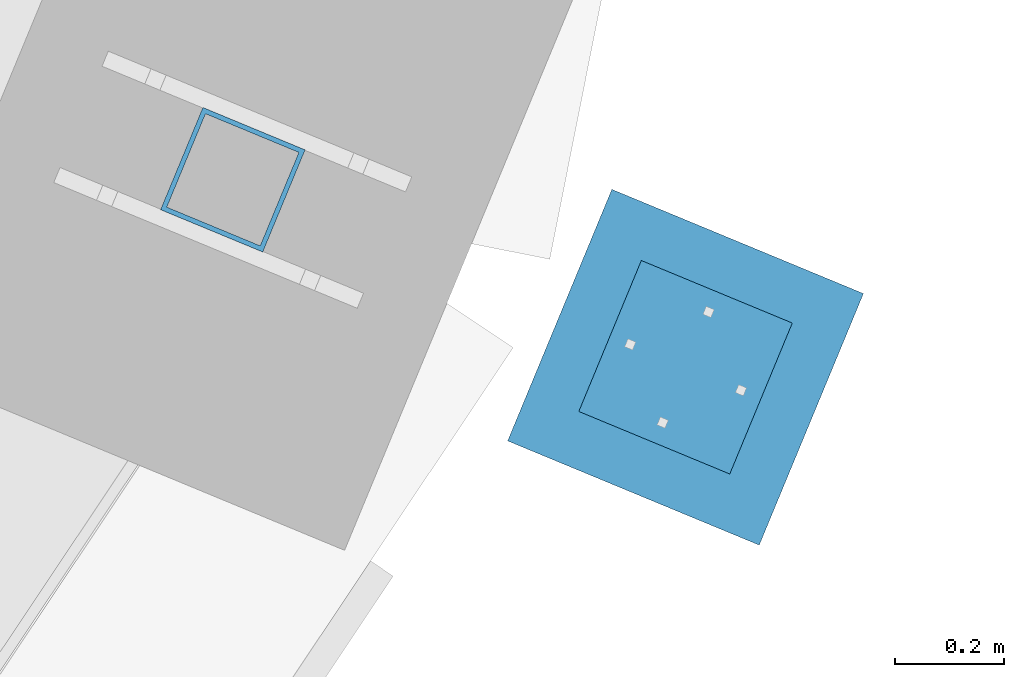
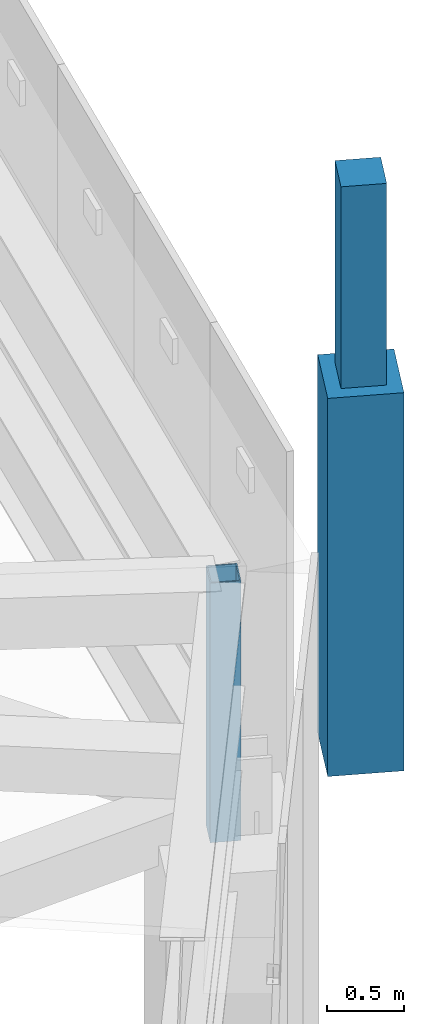
# One storey, part 46 of 278: 2 members, 1 beam.
"""IFC4 building model written with IfcOpenShell, lengths in metres."""

import ifcopenshell
import ifcopenshell.guid

model = None  # the IFC model being written
_history = None  # IfcOwnerHistory: only IFC2X3 demands one
_inside = {}  # id of a spatial element -> (the spatial element, [elements in it])
_under = {}  # id of a project, library or spatial element -> (it, [spatial elements below it])
_declared = {}  # id of a project -> (the project, [libraries it declares])
_typed = {}  # id of a type object -> (the type object, [elements of that type])
_made_of = {}  # id of a material, layer set ... -> (it, [elements and type objects made of it])


def new_model(schema):
    """Start an empty IFC model of exactly this schema.

    Asked for "IFC4X3", IfcOpenShell would pick the latest addendum, in which some entities
    have other attributes; the version numbers below select the first issue.
    IFC2X3 requires an IfcOwnerHistory on every rooted entity: one is made here for all.
    """
    global model, _history
    if schema == "IFC4X3":
        model = ifcopenshell.file(schema_version=(4, 3, 0, 0))
    else:
        model = ifcopenshell.file(schema=schema)
    _inside.clear()
    _under.clear()
    _declared.clear()
    _typed.clear()
    _made_of.clear()
    _history = None
    if model.schema == "IFC2X3":
        org = make("IfcOrganization", Name="unknown")
        user = make(
            "IfcPersonAndOrganization",
            ThePerson=make("IfcPerson", FamilyName="unknown"),
            TheOrganization=org,
        )
        app = make(
            "IfcApplication",
            ApplicationDeveloper=org,
            Version="unknown",
            ApplicationFullName="unknown",
            ApplicationIdentifier="unknown",
        )
        _history = make(
            "IfcOwnerHistory",
            OwningUser=user,
            OwningApplication=app,
            ChangeAction="ADDED",
            CreationDate=0,
        )
    return model


def make(cls, **values):
    """One entity of the class cls with the attributes given. An attribute that is None is left unset."""
    return model.create_entity(
        cls, **{name: value for name, value in values.items() if value is not None}
    )


def rooted(cls, **values):
    """An entity with a GlobalId (a new one), such as an element, a storey or a relation."""
    return make(cls, GlobalId=ifcopenshell.guid.new(), OwnerHistory=_history, **values)


def si_unit(unit_type, name, prefix=None):
    """IfcSIUnit, for example si_unit("LENGTHUNIT", "METRE", prefix="MILLI")."""
    return make("IfcSIUnit", UnitType=unit_type, Prefix=prefix, Name=name)


def assignment(units):
    """IfcUnitAssignment: the units of a project."""
    return None if units is None else make("IfcUnitAssignment", Units=units)


def point(xyz):
    """IfcCartesianPoint."""
    return None if xyz is None else make("IfcCartesianPoint", Coordinates=xyz)


def direction(xyz):
    """IfcDirection."""
    return None if xyz is None else make("IfcDirection", DirectionRatios=xyz)


def frame(location, z_axis=None, x_axis=None):
    """IfcAxis2Placement3D, a coordinate frame: its origin and axes. An axis left out is left unset."""
    return make(
        "IfcAxis2Placement3D",
        Location=point(location),
        Axis=direction(z_axis),
        RefDirection=direction(x_axis),
    )


def frame_2d(location, x_axis=None):
    """IfcAxis2Placement2D, a coordinate frame in the plane: its origin and x axis."""
    return make(
        "IfcAxis2Placement2D", Location=point(location), RefDirection=direction(x_axis)
    )


def origin():
    """The frame at (0, 0, 0) with its axes left unset."""
    return frame((0.0, 0.0, 0.0))


def origin_2d():
    """The frame at (0, 0) in the plane with its x axis left unset."""
    return frame_2d((0.0, 0.0))


def place(relative_to, where):
    """IfcLocalPlacement: puts the frame where relative to a parent placement (None: the world)."""
    return make(
        "IfcLocalPlacement", PlacementRelTo=relative_to, RelativePlacement=where
    )


def context(
    kind, dimensions, precision=None, world=None, true_north=None, identifier=None
):
    """IfcGeometricRepresentationContext, for example the 3D "Model" context."""
    return make(
        "IfcGeometricRepresentationContext",
        ContextIdentifier=identifier,
        ContextType=kind,
        CoordinateSpaceDimension=dimensions,
        Precision=precision,
        WorldCoordinateSystem=world,
        TrueNorth=true_north,
    )


def subcontext(parent, identifier, kind, view, scale=None):
    """IfcGeometricRepresentationSubContext, for example "Body" below "Model"."""
    return make(
        "IfcGeometricRepresentationSubContext",
        ContextIdentifier=identifier,
        ContextType=kind,
        ParentContext=parent,
        TargetScale=scale,
        TargetView=view,
    )


def project(units=None, contexts=None):
    """IfcProject with its units and contexts."""
    return rooted(
        "IfcProject",
        Name="project",
        RepresentationContexts=contexts,
        UnitsInContext=assignment(units),
    )


def spatial(cls, under=None, at=None, **own):
    """A site, building, storey or space (cls), placed at a placement, below another one or the project."""
    s = rooted(cls, ObjectPlacement=at, **own)
    if under is not None:
        _under.setdefault(under.id(), (under, []))[1].append(s)
    return s


def profile(cls, at=None, kind="AREA", **sizes):
    """A parametric profile (cls). Its sizes go by their IFC names, for example OverallWidth=200.0."""
    return make(cls, ProfileType=kind, Position=at, **sizes)


def rectangle(**sizes):
    """IfcRectangleProfileDef."""
    return profile("IfcRectangleProfileDef", **sizes)


def hollow_rectangle(**sizes):
    """IfcRectangleHollowProfileDef."""
    return profile("IfcRectangleHollowProfileDef", **sizes)


def extrude(swept, where, along, depth):
    """IfcExtrudedAreaSolid: the profile swept, set in the frame where, extruded along a direction by depth."""
    return make(
        "IfcExtrudedAreaSolid",
        SweptArea=swept,
        Position=where,
        ExtrudedDirection=direction(along),
        Depth=depth,
    )


def shape(context_of_items, identifier, shape_type, items):
    """IfcShapeRepresentation: the items that make up one representation, for example the "Body"."""
    return make(
        "IfcShapeRepresentation",
        ContextOfItems=context_of_items,
        RepresentationIdentifier=identifier,
        RepresentationType=shape_type,
        Items=items,
    )


def material(Name=None, Category=None):
    """IfcMaterial."""
    return make("IfcMaterial", Name=Name, Category=Category)


def material_profile(
    of_material, cross_section, Name=None, Category=None, Priority=None
):
    """IfcMaterialProfile: a cross section and its material."""
    return make(
        "IfcMaterialProfile",
        Name=Name,
        Material=of_material,
        Profile=cross_section,
        Priority=Priority,
        Category=Category,
    )


def profile_set(profiles, Name=None, composite=None):
    """IfcMaterialProfileSet."""
    return make(
        "IfcMaterialProfileSet",
        Name=Name,
        MaterialProfiles=profiles,
        CompositeProfile=composite,
    )


def made_of(thing, what):
    """Note that an element or type object is made of a material, layer set ...; save() writes the relation."""
    if what is not None:
        _made_of.setdefault(what.id(), (what, []))[1].append(thing)
    return thing


def type_object(cls, material=None, **own):
    """A type object (cls), such as IfcWallType, which elements share."""
    return made_of(rooted(cls, **own), material)


def element(
    cls,
    number,
    at=None,
    inside=None,
    cuts=None,
    type_object=None,
    material=None,
    context=None,
    identifier="Body",
    shape_type=None,
    held_by="IfcProductDefinitionShape",
    body=None,
    shapes=None,
    **own,
):
    """One element of the class cls, such as IfcWall. Its Tag is "e" and its number.

    at: its placement. inside: the storey or other place that contains it. cuts: it is an
    opening in that element (IfcRelVoidsElement). A single representation is given by context,
    identifier, shape_type and body (its items); several are given by shapes. held_by: the class
    of the entity that holds the representations. save() writes the other relations.
    """
    e = rooted(cls, Tag="e%d" % number, ObjectPlacement=at, **own)
    if body is not None:
        shapes = [shape(context, identifier, shape_type, body)]
    if shapes is not None:
        e.Representation = make(held_by, Representations=shapes)
    if inside is not None:
        _inside.setdefault(inside.id(), (inside, []))[1].append(e)
    if cuts is not None:
        rooted(
            "IfcRelVoidsElement", RelatingBuildingElement=cuts, RelatedOpeningElement=e
        )
    if type_object is not None:
        _typed.setdefault(type_object.id(), (type_object, []))[1].append(e)
    return made_of(e, material)


def aggregate(whole, parts):
    """IfcRelAggregates: a whole, such as a stair, and the parts it consists of."""
    return rooted("IfcRelAggregates", RelatingObject=whole, RelatedObjects=parts)


def save(model, path):
    """Write the relations noted so far, then the file.

    IfcRelAggregates (storeys below a building ...), IfcRelContainedInSpatialStructure (elements
    in a storey), IfcRelDefinesByType, IfcRelAssociatesMaterial and IfcRelDeclares: one each for
    every whole, place, type object, material and project.
    """
    for whole, parts in _under.values():
        aggregate(whole, parts)
    for where, things in _inside.values():
        rooted(
            "IfcRelContainedInSpatialStructure",
            RelatedElements=things,
            RelatingStructure=where,
        )
    for kind, things in _typed.values():
        rooted("IfcRelDefinesByType", RelatedObjects=things, RelatingType=kind)
    for what, things in _made_of.values():
        rooted("IfcRelAssociatesMaterial", RelatedObjects=things, RelatingMaterial=what)
    for by, libraries in _declared.values():
        rooted("IfcRelDeclares", RelatingContext=by, RelatedDefinitions=libraries)
    model.write(path)


model = new_model("IFC4")

# Units and contexts
model_context = context("Model", 3, precision=1e-05, world=origin(), true_north=direction((0.0, 1.0)))
body_context = subcontext(model_context, "Body", "Model", "MODEL_VIEW")
ifc_project = project(units=[si_unit("LENGTHUNIT", "METRE"), si_unit("AREAUNIT", "SQUARE_METRE"), si_unit("VOLUMEUNIT", "CUBIC_METRE"), si_unit("PLANEANGLEUNIT", "RADIAN"), si_unit("MASSUNIT", "GRAM", prefix="KILO")], contexts=[model_context])

# Site, building, storey
site_placement = place(None, origin())
site = spatial("IfcSite", under=ifc_project, at=site_placement, CompositionType="ELEMENT")
building_placement = place(site_placement, origin())
building = spatial("IfcBuilding", under=site, at=building_placement, Name="Ogive Plaza Stadium", CompositionType="ELEMENT")
storey_placement = place(building_placement, frame((0.0, 0.0, 29.0)))
storey = spatial("IfcBuildingStorey", under=building, at=storey_placement, Name="Roof", CompositionType="ELEMENT", Elevation=29.0)

# Members
ifc_material_1 = material(Name="Concrete C45/55 precast", Category="concrete")
ifc_material_profile_1 = material_profile(ifc_material_1, rectangle(XDim=0.5, YDim=0.5, at=origin_2d()), Name="RC 500x500")
ifc_profile_set_1 = profile_set([ifc_material_profile_1], Name="Concrete C45/55 precast")
member_type_1 = type_object("IfcMemberType", Name="Precast pinnacle 500x500", PredefinedType="POST", material=ifc_profile_set_1)
member_1_placement = place(storey_placement, frame((81.025390625, -71.978515625, 4.0), z_axis=(0.0, 0.0, 1.0), x_axis=(0.382683432365, 0.923879532511, 0.0)))
element("IfcMember", 1, at=member_1_placement, inside=storey, type_object=member_type_1, Name="PINNACLE R09", PredefinedType="POST", context=body_context, shape_type="SweptSolid", body=[
    extrude(rectangle(XDim=0.5, YDim=0.5, at=origin_2d()), origin(), (0.0, 0.0, 1.0), 3.0),
])
ifc_material_2 = material(Name="Concrete C45/55 precast", Category="concrete")
ifc_material_profile_2 = material_profile(ifc_material_2, rectangle(XDim=0.300048828125, YDim=0.300048828125, at=origin_2d()), Name="RC 300x300")
ifc_profile_set_2 = profile_set([ifc_material_profile_2], Name="Concrete C45/55 precast")
member_type_2 = type_object("IfcMemberType", Name="Precast spire 300x300", PredefinedType="MEMBER", material=ifc_profile_set_2)
member_2_placement = place(storey_placement, frame((81.025390625, -71.978515625, 7.0), z_axis=(0.0, 0.0, 1.0), x_axis=(0.382683432365, 0.923879532511, 0.0)))
element("IfcMember", 2, at=member_2_placement, inside=storey, type_object=member_type_2, Name="SPIRE R09", PredefinedType="MEMBER", context=body_context, shape_type="SweptSolid", body=[
    extrude(rectangle(XDim=0.300048828125, YDim=0.300048828125, at=origin_2d()), origin(), (0.0, 0.0, 1.0), 1.60009765625),
])

# Beam
ifc_material_3 = material(Name="Steel ASTM A500 Grade C", Category="steel")
ifc_material_profile_3 = material_profile(ifc_material_3, hollow_rectangle(XDim=0.203125, YDim=0.203125, WallThickness=0.0087890625, at=origin_2d()), Name="HSS8X8X3/8")
ifc_profile_set_3 = profile_set([ifc_material_profile_3], Name="Steel ASTM A500 Grade C")
beam_type = type_object("IfcBeamType", Name="Roof truss post HSS8X8X3/8", PredefinedType="BEAM", material=ifc_profile_set_3)
beam_placement = place(storey_placement, frame((80.194091796875, -71.63427734375, 3.43994140625), z_axis=(0.0, 0.0, 1.0), x_axis=(0.382683432365, 0.923879532511, 0.0)))
element("IfcBeam", 3, at=beam_placement, inside=storey, type_object=beam_type, Name="ROOF TRUSS T09 POST 12", PredefinedType="BEAM", context=body_context, shape_type="SweptSolid", body=[
    extrude(hollow_rectangle(XDim=0.203125, YDim=0.203125, WallThickness=0.0087890625, at=origin_2d()), origin(), (0.0, 0.0, 1.0), 2.06005859375),
])

save(model, "model.ifc")
